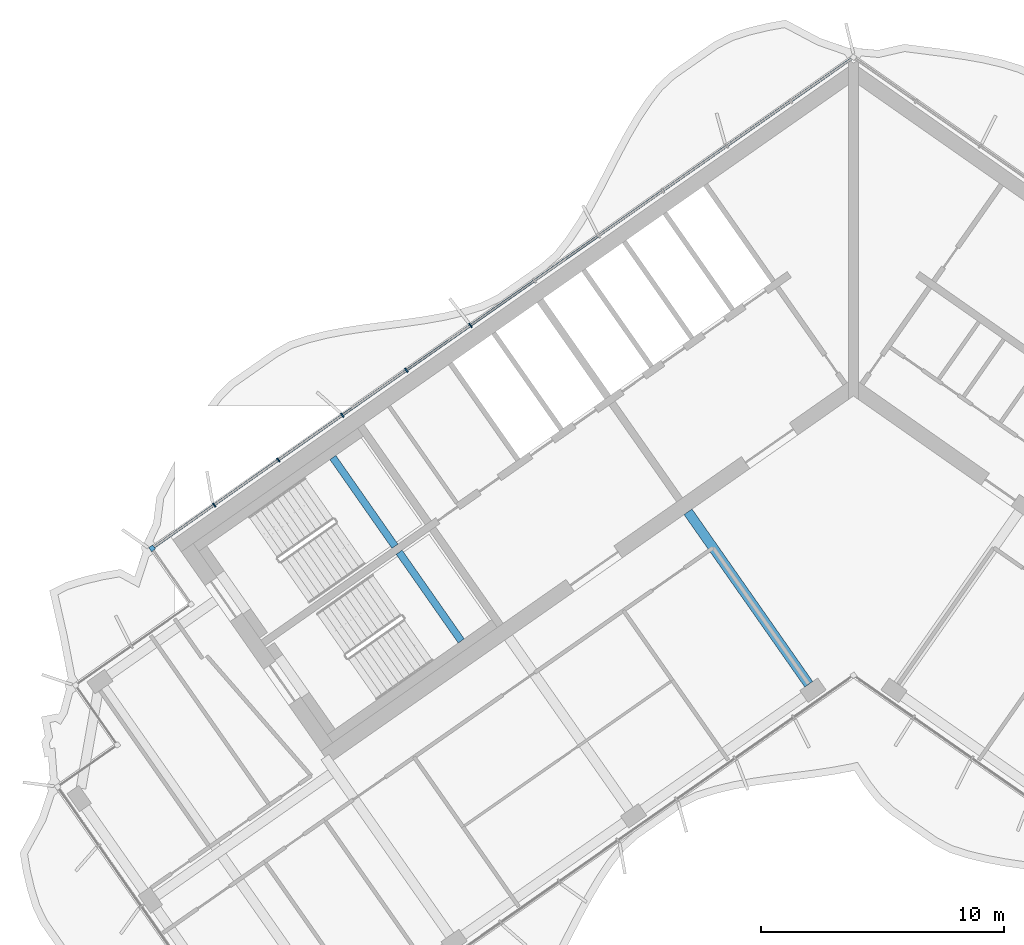
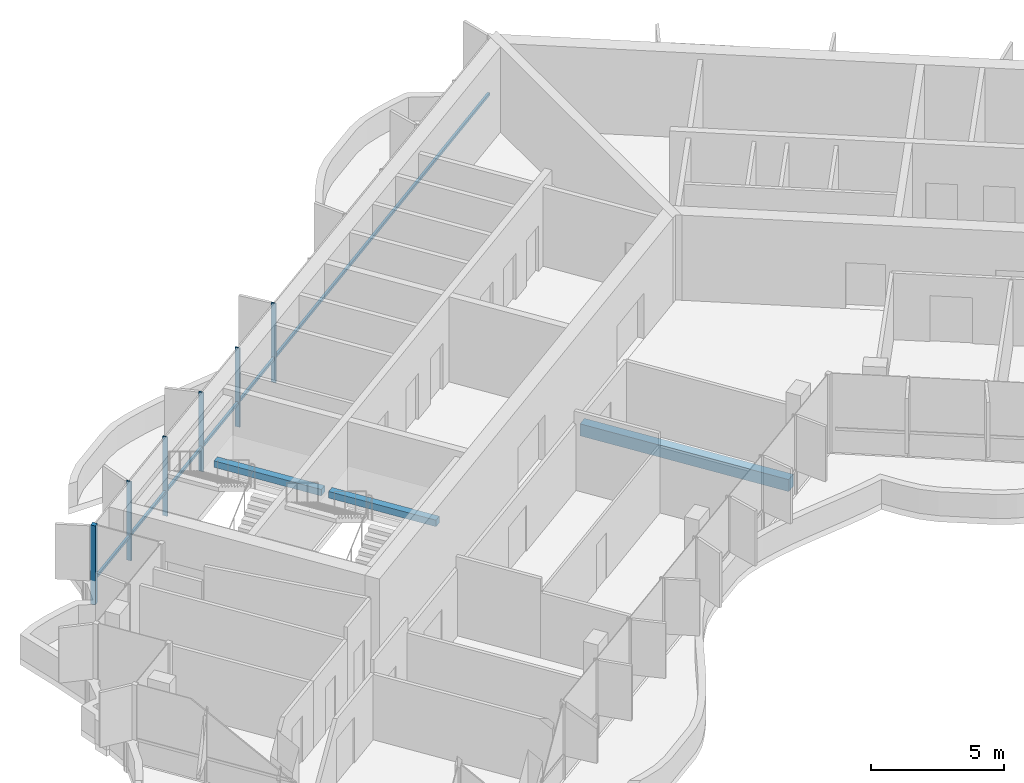
# One storey, part 3 of 18: 7 members, 3 beams, 1 element without a shape of its own.
"""IFC4 building model written with IfcOpenShell, lengths in metres."""

import ifcopenshell
import ifcopenshell.guid

model = None  # the IFC model being written
_history = None  # IfcOwnerHistory: only IFC2X3 demands one
_inside = {}  # id of a spatial element -> (the spatial element, [elements in it])
_under = {}  # id of a project, library or spatial element -> (it, [spatial elements below it])
_declared = {}  # id of a project -> (the project, [libraries it declares])
_typed = {}  # id of a type object -> (the type object, [elements of that type])
_made_of = {}  # id of a material, layer set ... -> (it, [elements and type objects made of it])


def new_model(schema):
    """Start an empty IFC model of exactly this schema.

    Asked for "IFC4X3", IfcOpenShell would pick the latest addendum, in which some entities
    have other attributes; the version numbers below select the first issue.
    IFC2X3 requires an IfcOwnerHistory on every rooted entity: one is made here for all.
    """
    global model, _history
    if schema == "IFC4X3":
        model = ifcopenshell.file(schema_version=(4, 3, 0, 0))
    else:
        model = ifcopenshell.file(schema=schema)
    _inside.clear()
    _under.clear()
    _declared.clear()
    _typed.clear()
    _made_of.clear()
    _history = None
    if model.schema == "IFC2X3":
        org = make("IfcOrganization", Name="unknown")
        user = make(
            "IfcPersonAndOrganization",
            ThePerson=make("IfcPerson", FamilyName="unknown"),
            TheOrganization=org,
        )
        app = make(
            "IfcApplication",
            ApplicationDeveloper=org,
            Version="unknown",
            ApplicationFullName="unknown",
            ApplicationIdentifier="unknown",
        )
        _history = make(
            "IfcOwnerHistory",
            OwningUser=user,
            OwningApplication=app,
            ChangeAction="ADDED",
            CreationDate=0,
        )
    return model


def make(cls, **values):
    """One entity of the class cls with the attributes given. An attribute that is None is left unset."""
    return model.create_entity(
        cls, **{name: value for name, value in values.items() if value is not None}
    )


def rooted(cls, **values):
    """An entity with a GlobalId (a new one), such as an element, a storey or a relation."""
    return make(cls, GlobalId=ifcopenshell.guid.new(), OwnerHistory=_history, **values)


def si_unit(unit_type, name, prefix=None):
    """IfcSIUnit, for example si_unit("LENGTHUNIT", "METRE", prefix="MILLI")."""
    return make("IfcSIUnit", UnitType=unit_type, Prefix=prefix, Name=name)


def assignment(units):
    """IfcUnitAssignment: the units of a project."""
    return None if units is None else make("IfcUnitAssignment", Units=units)


def point(xyz):
    """IfcCartesianPoint."""
    return None if xyz is None else make("IfcCartesianPoint", Coordinates=xyz)


def direction(xyz):
    """IfcDirection."""
    return None if xyz is None else make("IfcDirection", DirectionRatios=xyz)


def frame(location, z_axis=None, x_axis=None):
    """IfcAxis2Placement3D, a coordinate frame: its origin and axes. An axis left out is left unset."""
    return make(
        "IfcAxis2Placement3D",
        Location=point(location),
        Axis=direction(z_axis),
        RefDirection=direction(x_axis),
    )


def frame_2d(location, x_axis=None):
    """IfcAxis2Placement2D, a coordinate frame in the plane: its origin and x axis."""
    return make(
        "IfcAxis2Placement2D", Location=point(location), RefDirection=direction(x_axis)
    )


def origin():
    """The frame at (0, 0, 0) with its axes left unset."""
    return frame((0.0, 0.0, 0.0))


def origin_2d():
    """The frame at (0, 0) in the plane with its x axis left unset."""
    return frame_2d((0.0, 0.0))


def place(relative_to, where):
    """IfcLocalPlacement: puts the frame where relative to a parent placement (None: the world)."""
    return make(
        "IfcLocalPlacement", PlacementRelTo=relative_to, RelativePlacement=where
    )


def context(
    kind, dimensions, precision=None, world=None, true_north=None, identifier=None
):
    """IfcGeometricRepresentationContext, for example the 3D "Model" context."""
    return make(
        "IfcGeometricRepresentationContext",
        ContextIdentifier=identifier,
        ContextType=kind,
        CoordinateSpaceDimension=dimensions,
        Precision=precision,
        WorldCoordinateSystem=world,
        TrueNorth=true_north,
    )


def subcontext(parent, identifier, kind, view, scale=None):
    """IfcGeometricRepresentationSubContext, for example "Body" below "Model"."""
    return make(
        "IfcGeometricRepresentationSubContext",
        ContextIdentifier=identifier,
        ContextType=kind,
        ParentContext=parent,
        TargetScale=scale,
        TargetView=view,
    )


def project(units=None, contexts=None):
    """IfcProject with its units and contexts."""
    return rooted(
        "IfcProject",
        Name="project",
        RepresentationContexts=contexts,
        UnitsInContext=assignment(units),
    )


def spatial(cls, under=None, at=None, **own):
    """A site, building, storey or space (cls), placed at a placement, below another one or the project."""
    s = rooted(cls, ObjectPlacement=at, **own)
    if under is not None:
        _under.setdefault(under.id(), (under, []))[1].append(s)
    return s


def profile(cls, at=None, kind="AREA", **sizes):
    """A parametric profile (cls). Its sizes go by their IFC names, for example OverallWidth=200.0."""
    return make(cls, ProfileType=kind, Position=at, **sizes)


def rectangle(**sizes):
    """IfcRectangleProfileDef."""
    return profile("IfcRectangleProfileDef", **sizes)


def extrude(swept, where, along, depth):
    """IfcExtrudedAreaSolid: the profile swept, set in the frame where, extruded along a direction by depth."""
    return make(
        "IfcExtrudedAreaSolid",
        SweptArea=swept,
        Position=where,
        ExtrudedDirection=direction(along),
        Depth=depth,
    )


def shape(context_of_items, identifier, shape_type, items):
    """IfcShapeRepresentation: the items that make up one representation, for example the "Body"."""
    return make(
        "IfcShapeRepresentation",
        ContextOfItems=context_of_items,
        RepresentationIdentifier=identifier,
        RepresentationType=shape_type,
        Items=items,
    )


def material(Name=None, Category=None):
    """IfcMaterial."""
    return make("IfcMaterial", Name=Name, Category=Category)


def material_profile(
    of_material, cross_section, Name=None, Category=None, Priority=None
):
    """IfcMaterialProfile: a cross section and its material."""
    return make(
        "IfcMaterialProfile",
        Name=Name,
        Material=of_material,
        Profile=cross_section,
        Priority=Priority,
        Category=Category,
    )


def profile_set(profiles, Name=None, composite=None):
    """IfcMaterialProfileSet."""
    return make(
        "IfcMaterialProfileSet",
        Name=Name,
        MaterialProfiles=profiles,
        CompositeProfile=composite,
    )


def made_of(thing, what):
    """Note that an element or type object is made of a material, layer set ...; save() writes the relation."""
    if what is not None:
        _made_of.setdefault(what.id(), (what, []))[1].append(thing)
    return thing


def type_object(cls, material=None, **own):
    """A type object (cls), such as IfcWallType, which elements share."""
    return made_of(rooted(cls, **own), material)


def element(
    cls,
    number,
    at=None,
    inside=None,
    cuts=None,
    type_object=None,
    material=None,
    context=None,
    identifier="Body",
    shape_type=None,
    held_by="IfcProductDefinitionShape",
    body=None,
    shapes=None,
    **own,
):
    """One element of the class cls, such as IfcWall. Its Tag is "e" and its number.

    at: its placement. inside: the storey or other place that contains it. cuts: it is an
    opening in that element (IfcRelVoidsElement). A single representation is given by context,
    identifier, shape_type and body (its items); several are given by shapes. held_by: the class
    of the entity that holds the representations. save() writes the other relations.
    """
    e = rooted(cls, Tag="e%d" % number, ObjectPlacement=at, **own)
    if body is not None:
        shapes = [shape(context, identifier, shape_type, body)]
    if shapes is not None:
        e.Representation = make(held_by, Representations=shapes)
    if inside is not None:
        _inside.setdefault(inside.id(), (inside, []))[1].append(e)
    if cuts is not None:
        rooted(
            "IfcRelVoidsElement", RelatingBuildingElement=cuts, RelatedOpeningElement=e
        )
    if type_object is not None:
        _typed.setdefault(type_object.id(), (type_object, []))[1].append(e)
    return made_of(e, material)


def aggregate(whole, parts):
    """IfcRelAggregates: a whole, such as a stair, and the parts it consists of."""
    return rooted("IfcRelAggregates", RelatingObject=whole, RelatedObjects=parts)


def save(model, path):
    """Write the relations noted so far, then the file.

    IfcRelAggregates (storeys below a building ...), IfcRelContainedInSpatialStructure (elements
    in a storey), IfcRelDefinesByType, IfcRelAssociatesMaterial and IfcRelDeclares: one each for
    every whole, place, type object, material and project.
    """
    for whole, parts in _under.values():
        aggregate(whole, parts)
    for where, things in _inside.values():
        rooted(
            "IfcRelContainedInSpatialStructure",
            RelatedElements=things,
            RelatingStructure=where,
        )
    for kind, things in _typed.values():
        rooted("IfcRelDefinesByType", RelatedObjects=things, RelatingType=kind)
    for what, things in _made_of.values():
        rooted("IfcRelAssociatesMaterial", RelatedObjects=things, RelatingMaterial=what)
    for by, libraries in _declared.values():
        rooted("IfcRelDeclares", RelatingContext=by, RelatedDefinitions=libraries)
    model.write(path)


model = new_model("IFC4")

# Units and contexts
model_context = context("Model", 3, precision=1e-05, world=origin(), true_north=direction((0.0, 1.0)))
body_context = subcontext(model_context, "Body", "Model", "MODEL_VIEW")
ifc_project = project(units=[si_unit("LENGTHUNIT", "METRE"), si_unit("AREAUNIT", "SQUARE_METRE"), si_unit("VOLUMEUNIT", "CUBIC_METRE"), si_unit("PLANEANGLEUNIT", "RADIAN"), si_unit("MASSUNIT", "GRAM", prefix="KILO")], contexts=[model_context])

# Site, building, storey
site_placement = place(None, origin())
site = spatial("IfcSite", under=ifc_project, at=site_placement, CompositionType="ELEMENT")
building_placement = place(site_placement, origin())
building = spatial("IfcBuilding", under=site, at=building_placement, Name="Tel Ilan Convention Tower", CompositionType="ELEMENT")
storey_placement = place(building_placement, frame((0.0, 0.0, 264.39990234375)))
storey = spatial("IfcBuildingStorey", under=building, at=storey_placement, Name="L62", CompositionType="ELEMENT", Elevation=264.39990234375)

# Beam
ifc_material_1 = material(Name="Concrete C40/50", Category="concrete")
ifc_material_profile_1 = material_profile(ifc_material_1, rectangle(XDim=0.39990234375, YDim=0.550048828125, at=origin_2d()), Name="RC 400x550")
ifc_profile_set_1 = profile_set([ifc_material_profile_1], Name="Concrete C40/50")
beam_type_1 = type_object("IfcBeamType", Name="Beam RC 400x550 Concrete C40/50", PredefinedType="BEAM", material=ifc_profile_set_1)
beam_1_placement = place(storey_placement, frame((-1.83740234375, -13.06689453125, -0.554931640625), z_axis=(-0.573574099654, 0.819153680457, 0.0), x_axis=(-0.819153680457, -0.573574099654, 0.0)))
element("IfcBeam", 1, at=beam_1_placement, inside=storey, type_object=beam_type_1, Name="L62 beam W-W-F1-core", PredefinedType="BEAM", context=body_context, shape_type="SweptSolid", body=[
    extrude(rectangle(XDim=0.39990234375, YDim=0.550048828125, at=origin_2d()), origin(), (0.0, 0.0, 1.0), 8.64990234375),
])

# Curtain wall, members
ifc_material_2 = material(Name="Aluminium, bronze anodised", Category="aluminium")
curtain_wall_type = type_object("IfcCurtainWallType", Name="CW2 STICK CURTAIN WALL, SPANDREL PANELS", PredefinedType="NOTDEFINED", material=ifc_material_2)
curtain_wall_placement = place(storey_placement, origin())
curtain_wall = element("IfcCurtainWall", 2, at=curtain_wall_placement, inside=storey, type_object=curtain_wall_type, Name="Curtain wall CW2-47.01", PredefinedType="NOTDEFINED")
ifc_material_3 = material(Name="Aluminium, bronze anodised", Category="aluminium")
ifc_material_profile_2 = material_profile(ifc_material_3, rectangle(XDim=0.199951171875, YDim=0.199951171875, at=origin_2d()), Name="CW CORNER MULLION 200x200")
ifc_profile_set_2 = profile_set([ifc_material_profile_2], Name="Aluminium, bronze anodised")
member_type_1 = type_object("IfcMemberType", Name="CW CORNER MULLION 200x200", PredefinedType="MULLION", material=ifc_profile_set_2)
member_1_placement = place(storey_placement, frame((-28.819580078125, -7.483642578125, 0.0), z_axis=(0.0, 0.0, 1.0), x_axis=(-0.819152044289, -0.573576436351, 0.0)))
member_1 = element("IfcMember", 3, at=member_1_placement, type_object=member_type_1, Name="Corner mullion", PredefinedType="MULLION", context=body_context, shape_type="SweptSolid", body=[
    extrude(rectangle(XDim=0.199951171875, YDim=0.199951171875, at=origin_2d()), origin(), (0.0, 0.0, 1.0), 3.6201171875),
])
ifc_material_4 = material(Name="Aluminium, bronze anodised", Category="aluminium")
ifc_material_profile_3 = material_profile(ifc_material_4, rectangle(XDim=0.06005859375, YDim=0.199951171875, at=origin_2d()), Name="CW MULLION 60x200")
ifc_profile_set_3 = profile_set([ifc_material_profile_3], Name="Aluminium, bronze anodised")
member_type_2 = type_object("IfcMemberType", Name="CW MULLION 60x200", PredefinedType="MULLION", material=ifc_profile_set_3)
member_2_placement = place(storey_placement, frame((-15.73828125, 1.676025390625, 0.0), z_axis=(0.0, 0.0, 1.0), x_axis=(-0.819152044289, -0.573576436351, 0.0)))
member_2 = element("IfcMember", 4, at=member_2_placement, type_object=member_type_2, Name="Mullion", PredefinedType="MULLION", context=body_context, shape_type="SweptSolid", body=[
    extrude(rectangle(XDim=0.06005859375, YDim=0.199951171875, at=origin_2d()), origin(), (0.0, 0.0, 1.0), 3.6201171875),
])
member_3_placement = place(storey_placement, frame((-18.37109375, -0.16748046875, 0.0), z_axis=(0.0, 0.0, 1.0), x_axis=(-0.819152044289, -0.573576436351, 0.0)))
member_3 = element("IfcMember", 5, at=member_3_placement, type_object=member_type_2, Name="Mullion", PredefinedType="MULLION", context=body_context, shape_type="SweptSolid", body=[
    extrude(rectangle(XDim=0.06005859375, YDim=0.199951171875, at=origin_2d()), origin(), (0.0, 0.0, 1.0), 3.6201171875),
])
member_4_placement = place(storey_placement, frame((-21.003662109375, -2.0107421875, 0.0), z_axis=(0.0, 0.0, 1.0), x_axis=(-0.819152044289, -0.573576436351, 0.0)))
member_4 = element("IfcMember", 6, at=member_4_placement, type_object=member_type_2, Name="Mullion", PredefinedType="MULLION", context=body_context, shape_type="SweptSolid", body=[
    extrude(rectangle(XDim=0.06005859375, YDim=0.199951171875, at=origin_2d()), origin(), (0.0, 0.0, 1.0), 3.6201171875),
])
member_5_placement = place(storey_placement, frame((-23.63623046875, -3.854248046875, 0.0), z_axis=(0.0, 0.0, 1.0), x_axis=(-0.819152044289, -0.573576436351, 0.0)))
member_5 = element("IfcMember", 7, at=member_5_placement, type_object=member_type_2, Name="Mullion", PredefinedType="MULLION", context=body_context, shape_type="SweptSolid", body=[
    extrude(rectangle(XDim=0.06005859375, YDim=0.199951171875, at=origin_2d()), origin(), (0.0, 0.0, 1.0), 3.6201171875),
])
member_6_placement = place(storey_placement, frame((-26.268798828125, -5.697509765625, 0.0), z_axis=(0.0, 0.0, 1.0), x_axis=(-0.819152044289, -0.573576436351, 0.0)))
member_6 = element("IfcMember", 8, at=member_6_placement, type_object=member_type_2, Name="Mullion", PredefinedType="MULLION", context=body_context, shape_type="SweptSolid", body=[
    extrude(rectangle(XDim=0.06005859375, YDim=0.199951171875, at=origin_2d()), origin(), (0.0, 0.0, 1.0), 3.6201171875),
])
ifc_material_5 = material(Name="Aluminium, bronze anodised", Category="aluminium")
ifc_material_profile_4 = material_profile(ifc_material_5, rectangle(XDim=0.10009765625, YDim=0.1201171875, at=origin_2d()), Name="CW TRANSOM 100x120")
ifc_profile_set_4 = profile_set([ifc_material_profile_4], Name="Aluminium, bronze anodised")
member_type_3 = type_object("IfcMemberType", Name="CW TRANSOM 100x120", PredefinedType="USERDEFINED", material=ifc_profile_set_4)
member_7_placement = place(storey_placement, frame((-0.1064453125, 12.62158203125, 1.10009765625), z_axis=(-0.819150201937, -0.573579067494, 0.0), x_axis=(0.573579067494, -0.819150201937, 0.0)))
member_7 = element("IfcMember", 9, at=member_7_placement, type_object=member_type_3, Name="Transom", ObjectType="TRANSOM", PredefinedType="USERDEFINED", context=body_context, shape_type="SweptSolid", body=[
    extrude(rectangle(XDim=0.10009765625, YDim=0.1201171875, at=origin_2d()), origin(), (0.0, 0.0, 1.0), 34.9521484375),
])
aggregate(curtain_wall, [member_2, member_3, member_4, member_5, member_6, member_1, member_7])

# Beams
ifc_material_6 = material(Name="Concrete C40/50", Category="concrete")
ifc_material_profile_5 = material_profile(ifc_material_6, rectangle(XDim=0.300048828125, YDim=0.300048828125, at=origin_2d()), Name="RC 300x300")
ifc_profile_set_5 = profile_set([ifc_material_profile_5], Name="Concrete C40/50")
beam_type_2 = type_object("IfcBeamType", Name="Landing Beam RC 300x300 Concrete C40/50", PredefinedType="BEAM", material=ifc_profile_set_5)
beam_2_placement = place(storey_placement, frame((-18.841796875, -7.394287109375, 1.60009765625), z_axis=(-0.573547030514, 0.819172633691, 0.0), x_axis=(-0.819172633691, -0.573547030514, 0.0)))
element("IfcBeam", 10, at=beam_2_placement, inside=storey, type_object=beam_type_2, Name="S1 landing beam L62.1", PredefinedType="BEAM", context=body_context, shape_type="SweptSolid", body=[
    extrude(rectangle(XDim=0.300048828125, YDim=0.300048828125, at=origin_2d()), origin(), (0.0, 0.0, 1.0), 4.449951171875),
])
beam_3_placement = place(storey_placement, frame((-16.1171875, -11.285400390625, 1.60009765625), z_axis=(-0.573583844845, 0.819146856756, 0.0), x_axis=(-0.819146856756, -0.573583844845, 0.0)))
element("IfcBeam", 11, at=beam_3_placement, inside=storey, type_object=beam_type_2, Name="S2 landing beam L62.1", PredefinedType="BEAM", context=body_context, shape_type="SweptSolid", body=[
    extrude(rectangle(XDim=0.300048828125, YDim=0.300048828125, at=origin_2d()), origin(), (0.0, 0.0, 1.0), 4.4501953125),
])

save(model, "model.ifc")
